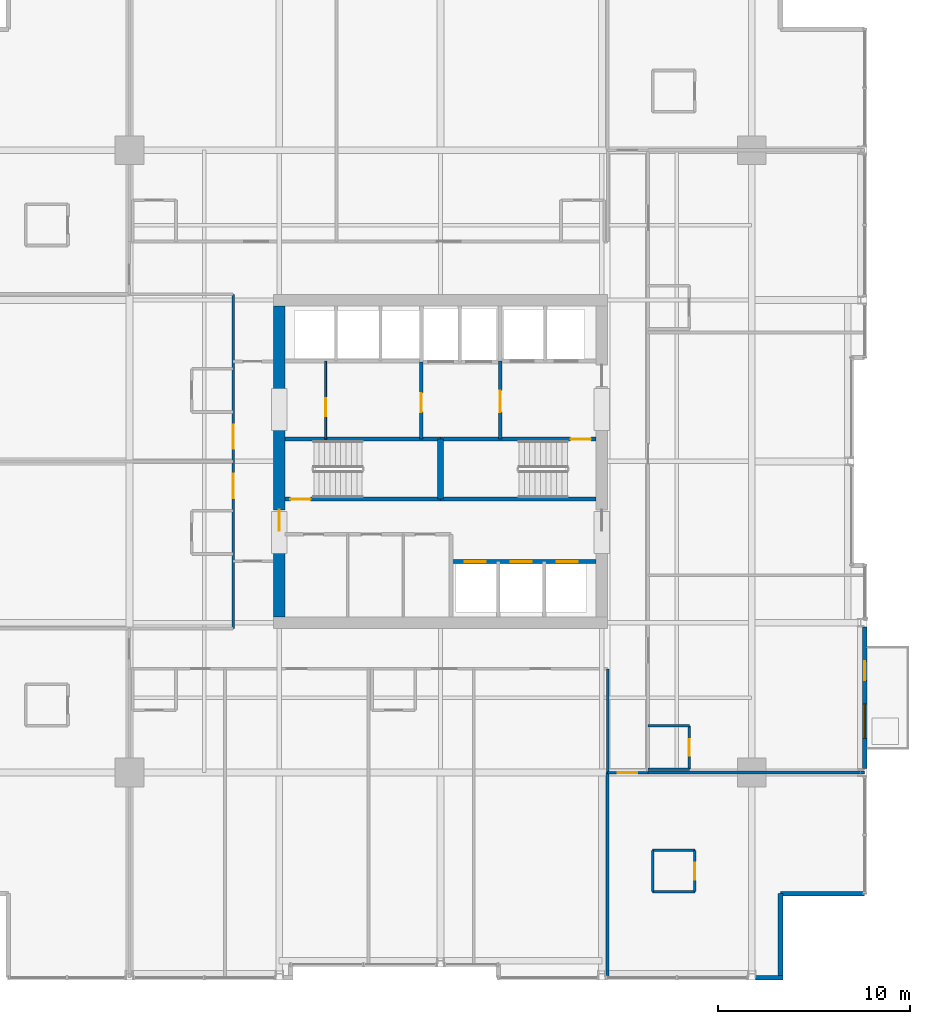
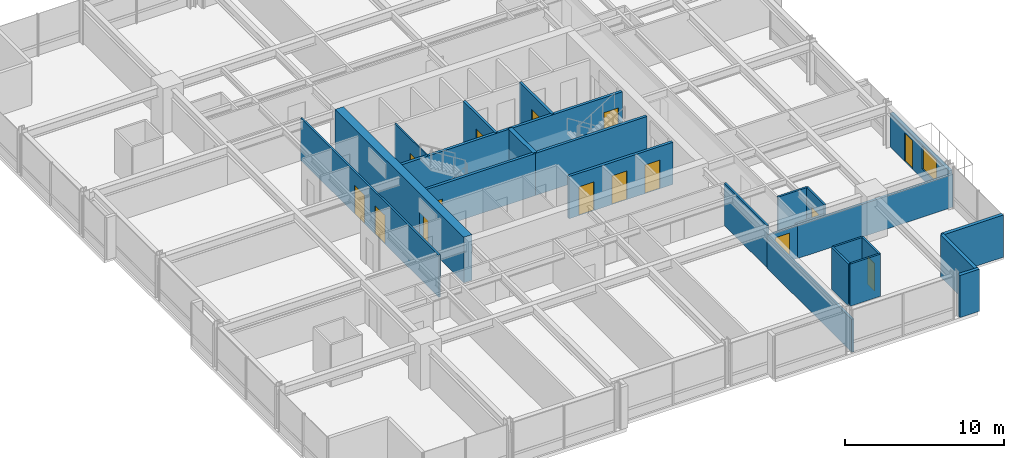
# One storey, part 29 of 33: 26 walls, 15 doors, 1 window, 16 openings.
"""IFC4 building model written with IfcOpenShell, lengths in metres."""

from ifc_helpers import new_model, si_unit, direction, frame, frame_2d, origin, place, context, subcontext, project, spatial, rectangle, extrude, material, layer, layer_set, type_object, element, fill, save


model = new_model("IFC4")

# Units and contexts
model_context = context("Model", 3, precision=1e-05, world=origin(), true_north=direction((0.0, 1.0)))
body_context = subcontext(model_context, "Body", "Model", "MODEL_VIEW")
ifc_project = project(units=[si_unit("LENGTHUNIT", "METRE"), si_unit("AREAUNIT", "SQUARE_METRE"), si_unit("VOLUMEUNIT", "CUBIC_METRE"), si_unit("PLANEANGLEUNIT", "RADIAN"), si_unit("MASSUNIT", "GRAM", prefix="KILO")], contexts=[model_context])

# Site, building, storey
site_placement = place(None, origin())
site = spatial("IfcSite", under=ifc_project, at=site_placement, CompositionType="ELEMENT")
building_placement = place(site_placement, origin())
building = spatial("IfcBuilding", under=site, at=building_placement, Name="Drelvath Grand Hotel", CompositionType="ELEMENT")
storey_placement = place(building_placement, frame((0.0, 0.0, 119.800048828125)))
storey = spatial("IfcBuildingStorey", under=building, at=storey_placement, Name="L30", CompositionType="ELEMENT", Elevation=119.800048828125)

# Wall, opening, door
ifc_material_1 = material(Name="Gypsum Partition Board")
ifc_layer_1 = layer(ifc_material_1, 0.10009765625)
ifc_layer_set_1 = layer_set([ifc_layer_1], Name="Gypsum Partition Board")
wall_type_1 = type_object("IfcWallType", Name="Core Closet Partition 100", PredefinedType="PARTITIONING", material=ifc_layer_set_1)
wall_1_placement = place(storey_placement, frame((-5.97998046875, 28.159912109375, 0.0), z_axis=(0.0, 0.0, 1.0), x_axis=(0.0, 1.0, 0.0)))
wall_1 = element("IfcWall", 1, at=wall_1_placement, inside=storey, type_object=wall_type_1, Name="L30 Core Closet Divider 2", PredefinedType="PARTITIONING", context=body_context, shape_type="SweptSolid", body=[
    extrude(rectangle(XDim=4.06005859375, YDim=0.10009765625, at=frame_2d((2.030029296875, 0.0))), origin(), (0.0, 0.0, 1.0), 3.239990234375),
])
opening_1_placement = place(wall_1_placement, frame((1.199951171875, 0.0, 0.0)))
opening_1 = element("IfcOpeningElement", 2, at=opening_1_placement, cuts=wall_1, Name="Opening D-T2G3-010", PredefinedType="OPENING", context=body_context, shape_type="SweptSolid", body=[
    extrude(rectangle(XDim=0.919921875, YDim=2.10009765625, at=frame_2d((0.4599609375, 1.050048828125))), frame((0.0, 0.06005859375, 0.0), z_axis=(0.0, -1.0, 0.0), x_axis=(1.0, 0.0, 0.0)), (0.0, 0.0, 1.0), 0.1201171875),
])
ifc_material_2 = material(Name="Painted Steel S275", Category="steel")
door_type_1 = type_object("IfcDoorType", Name="Staff Utility Door 920x2100", OperationType="NOTDEFINED", PredefinedType="DOOR", material=ifc_material_2)
door_1_placement = place(opening_1_placement, origin())
door_1 = element("IfcDoor", 3, at=door_1_placement, inside=storey, type_object=door_type_1, Name="L30 Low-Voltage Closet Door", OperationType="SINGLE_SWING_RIGHT", OverallHeight=2.10009765625, OverallWidth=0.919921875, PredefinedType="DOOR", context=body_context, shape_type="SweptSolid", body=[
    extrude(rectangle(XDim=0.919921875, YDim=2.10009765625, at=frame_2d((0.4599609375, 1.050048828125))), frame((0.0, 0.02490234375, 0.0), z_axis=(0.0, -1.0, 0.0), x_axis=(1.0, 0.0, 0.0)), (0.0, 0.0, 1.0), 0.050048828125),
])
fill(opening_1, door_1)

# Wall, openings, doors
ifc_material_3 = material(Name="Concrete C40/50", Category="concrete")
ifc_layer_2 = layer(ifc_material_3, 0.199951171875)
ifc_layer_set_2 = layer_set([ifc_layer_2], Name="Concrete C40/50")
wall_type_2 = type_object("IfcWallType", Name="Core Hoistway Fire Wall 200", PredefinedType="SOLIDWALL", material=ifc_layer_set_2)
wall_2_placement = place(storey_placement, frame((8.10009765625, 21.780029296875, 0.0), z_axis=(0.0, 0.0, 1.0), x_axis=(-1.0, 0.0, 0.0)))
wall_2 = element("IfcWall", 4, at=wall_2_placement, inside=storey, type_object=wall_type_2, Name="L30 Bank 2 Hoistway Wall", PredefinedType="SOLIDWALL", context=body_context, shape_type="SweptSolid", body=[
    extrude(rectangle(XDim=7.550048828125, YDim=0.199951171875, at=frame_2d((3.77490234375, 0.0))), origin(), (0.0, 0.0, 1.0), 3.239990234375),
])
opening_2_placement = place(wall_2_placement, frame((5.75, 0.0, 0.0)))
opening_2 = element("IfcOpeningElement", 5, at=opening_2_placement, cuts=wall_2, Name="Opening LD-PE-4", PredefinedType="OPENING", context=body_context, shape_type="SweptSolid", body=[
    extrude(rectangle(XDim=1.10009765625, YDim=2.199951171875, at=frame_2d((0.550048828125, 1.10009765625))), frame((0.0, 0.10986328125, 0.0), z_axis=(0.0, -1.0, 0.0), x_axis=(1.0, 0.0, 0.0)), (0.0, 0.0, 1.0), 0.219970703125),
])
opening_3_placement = place(wall_2_placement, frame((3.35009765625, 0.0, 0.0)))
opening_3 = element("IfcOpeningElement", 6, at=opening_3_placement, cuts=wall_2, Name="Opening LD-PE-5", PredefinedType="OPENING", context=body_context, shape_type="SweptSolid", body=[
    extrude(rectangle(XDim=1.10009765625, YDim=2.199951171875, at=frame_2d((0.550048828125, 1.10009765625))), frame((0.0, 0.10986328125, 0.0), z_axis=(0.0, -1.0, 0.0), x_axis=(1.0, 0.0, 0.0)), (0.0, 0.0, 1.0), 0.219970703125),
])
opening_4_placement = place(wall_2_placement, frame((0.949951171875, 0.0, 0.0)))
opening_4 = element("IfcOpeningElement", 7, at=opening_4_placement, cuts=wall_2, Name="Opening LD-PE-6", PredefinedType="OPENING", context=body_context, shape_type="SweptSolid", body=[
    extrude(rectangle(XDim=1.10009765625, YDim=2.199951171875, at=frame_2d((0.550048828125, 1.10009765625))), frame((0.0, 0.10986328125, 0.0), z_axis=(0.0, -1.0, 0.0), x_axis=(1.0, 0.0, 0.0)), (0.0, 0.0, 1.0), 0.219970703125),
])
ifc_material_4 = material(Name="Stainless Steel S355", Category="steel")
door_type_2 = type_object("IfcDoorType", Name="Passenger Lift Sliding Landing Door 1100x2200", OperationType="NOTDEFINED", PredefinedType="DOOR", material=ifc_material_4)
door_2_placement = place(opening_2_placement, origin())
door_2 = element("IfcDoor", 8, at=door_2_placement, inside=storey, type_object=door_type_2, Name="L30 Lift PE-4 Landing Door", OperationType="SLIDING_TO_LEFT", OverallHeight=2.199951171875, OverallWidth=1.10009765625, PredefinedType="DOOR", context=body_context, shape_type="SweptSolid", body=[
    extrude(rectangle(XDim=1.10009765625, YDim=2.199951171875, at=frame_2d((0.550048828125, 1.10009765625))), frame((0.0, 0.02490234375, 0.0), z_axis=(0.0, -1.0, 0.0), x_axis=(1.0, 0.0, 0.0)), (0.0, 0.0, 1.0), 0.050048828125),
])
fill(opening_2, door_2)
door_3_placement = place(opening_3_placement, origin())
door_3 = element("IfcDoor", 9, at=door_3_placement, inside=storey, type_object=door_type_2, Name="L30 Lift PE-5 Landing Door", OperationType="SLIDING_TO_LEFT", OverallHeight=2.199951171875, OverallWidth=1.10009765625, PredefinedType="DOOR", context=body_context, shape_type="SweptSolid", body=[
    extrude(rectangle(XDim=1.10009765625, YDim=2.199951171875, at=frame_2d((0.550048828125, 1.10009765625))), frame((0.0, 0.02490234375, 0.0), z_axis=(0.0, -1.0, 0.0), x_axis=(1.0, 0.0, 0.0)), (0.0, 0.0, 1.0), 0.050048828125),
])
fill(opening_3, door_3)
door_4_placement = place(opening_4_placement, origin())
door_4 = element("IfcDoor", 10, at=door_4_placement, inside=storey, type_object=door_type_2, Name="L30 Lift PE-6 Landing Door", OperationType="SLIDING_TO_LEFT", OverallHeight=2.199951171875, OverallWidth=1.10009765625, PredefinedType="DOOR", context=body_context, shape_type="SweptSolid", body=[
    extrude(rectangle(XDim=1.10009765625, YDim=2.199951171875, at=frame_2d((0.550048828125, 1.10009765625))), frame((0.0, 0.02490234375, 0.0), z_axis=(0.0, -1.0, 0.0), x_axis=(1.0, 0.0, 0.0)), (0.0, 0.0, 1.0), 0.050048828125),
])
fill(opening_4, door_4)

# Wall, opening, door
ifc_layer_3 = layer(ifc_material_3, 0.199951171875)
ifc_layer_set_3 = layer_set([ifc_layer_3], Name="Concrete C40/50")
wall_type_3 = type_object("IfcWallType", Name="Core Shaft Fire Wall 200", PredefinedType="SOLIDWALL", material=ifc_layer_set_3)
wall_3_placement = place(storey_placement, frame((-8.10009765625, 25.0400390625, 0.0), z_axis=(0.0, 0.0, 1.0), x_axis=(1.0, 0.0, 0.0)))
wall_3 = element("IfcWall", 11, at=wall_3_placement, inside=storey, type_object=wall_type_3, Name="L30 Stair ST-1 South Wall", PredefinedType="SOLIDWALL", context=body_context, shape_type="SweptSolid", body=[
    extrude(rectangle(XDim=8.10009765625, YDim=0.199951171875, at=frame_2d((4.050048828125, 0.0))), origin(), (0.0, 0.0, 1.0), 3.239990234375),
])
opening_5_placement = place(wall_3_placement, frame((0.280029296875, 0.0, 0.0)))
opening_5 = element("IfcOpeningElement", 12, at=opening_5_placement, cuts=wall_3, Name="Opening D-T2G3-001", PredefinedType="OPENING", context=body_context, shape_type="SweptSolid", body=[
    extrude(rectangle(XDim=1.050048828125, YDim=2.10009765625, at=frame_2d((0.52490234375, 1.050048828125))), frame((0.0, 0.10986328125, 0.0), z_axis=(0.0, -1.0, 0.0), x_axis=(1.0, 0.0, 0.0)), (0.0, 0.0, 1.0), 0.219970703125),
])
door_type_3 = type_object("IfcDoorType", Name="Tower Stairwell Fire Door 1050x2100", OperationType="NOTDEFINED", PredefinedType="DOOR", material=ifc_material_2)
door_5_placement = place(opening_5_placement, origin())
door_5 = element("IfcDoor", 13, at=door_5_placement, inside=storey, type_object=door_type_3, Name="L30 Exit Stair ST-1 Door", OperationType="SINGLE_SWING_LEFT", OverallHeight=2.10009765625, OverallWidth=1.050048828125, PredefinedType="DOOR", context=body_context, shape_type="SweptSolid", body=[
    extrude(rectangle(XDim=1.050048828125, YDim=2.10009765625, at=frame_2d((0.52490234375, 1.050048828125))), frame((0.0, 0.02490234375, 0.0), z_axis=(0.0, -1.0, 0.0), x_axis=(1.0, 0.0, 0.0)), (0.0, 0.0, 1.0), 0.050048828125),
])
fill(opening_5, door_5)

# Walls
for number, where, z_axis, x_axis, name in (
    (14, (-8.10009765625, 28.159912109375, 0.0), (0.0, 0.0, 1.0), (1.0, 0.0, 0.0), "L30 Stair ST-1 North Wall"),
    (15, (0.0, 25.0400390625, 0.0), (0.0, 0.0, 1.0), (1.0, 0.0, 0.0), "L30 Stair ST-2 South Wall"),
):
    element("IfcWall", number, at=place(storey_placement, frame(where, z_axis=z_axis, x_axis=x_axis)), inside=storey, type_object=wall_type_3, Name=name, PredefinedType="SOLIDWALL", context=body_context, shape_type="SweptSolid", body=[
        extrude(rectangle(XDim=8.10009765625, YDim=0.199951171875, at=frame_2d((4.050048828125, 0.0))), origin(), (0.0, 0.0, 1.0), 3.239990234375),
    ])

# Wall, opening, door
wall_4_placement = place(storey_placement, frame((8.10009765625, 28.159912109375, 0.0), z_axis=(0.0, 0.0, 1.0), x_axis=(-1.0, 0.0, 0.0)))
wall_4 = element("IfcWall", 16, at=wall_4_placement, inside=storey, type_object=wall_type_3, Name="L30 Stair ST-2 North Wall", PredefinedType="SOLIDWALL", context=body_context, shape_type="SweptSolid", body=[
    extrude(rectangle(XDim=8.10009765625, YDim=0.199951171875, at=frame_2d((4.050048828125, 0.0))), origin(), (0.0, 0.0, 1.0), 3.239990234375),
])
opening_6_placement = place(wall_4_placement, frame((0.280029296875, 0.0, 0.0)))
opening_6 = element("IfcOpeningElement", 17, at=opening_6_placement, cuts=wall_4, Name="Opening D-T2G3-002", PredefinedType="OPENING", context=body_context, shape_type="SweptSolid", body=[
    extrude(rectangle(XDim=1.050048828125, YDim=2.10009765625, at=frame_2d((0.52490234375, 1.050048828125))), frame((0.0, 0.10986328125, 0.0), z_axis=(0.0, -1.0, 0.0), x_axis=(1.0, 0.0, 0.0)), (0.0, 0.0, 1.0), 0.219970703125),
])
door_6_placement = place(opening_6_placement, origin())
door_6 = element("IfcDoor", 18, at=door_6_placement, inside=storey, type_object=door_type_3, Name="L30 Exit Stair ST-2 Door", OperationType="SINGLE_SWING_LEFT", OverallHeight=2.10009765625, OverallWidth=1.050048828125, PredefinedType="DOOR", context=body_context, shape_type="SweptSolid", body=[
    extrude(rectangle(XDim=1.050048828125, YDim=2.10009765625, at=frame_2d((0.52490234375, 1.050048828125))), frame((0.0, 0.02490234375, 0.0), z_axis=(0.0, -1.0, 0.0), x_axis=(1.0, 0.0, 0.0)), (0.0, 0.0, 1.0), 0.050048828125),
])
fill(opening_6, door_6)

# Walls
ifc_layer_4 = layer(ifc_material_3, 0.300048828125)
ifc_layer_set_4 = layer_set([ifc_layer_4], Name="Concrete C40/50")
wall_type_4 = type_object("IfcWallType", Name="Core Shaft Fire Wall 300", PredefinedType="SOLIDWALL", material=ifc_layer_set_4)
wall_5_placement = place(storey_placement, frame((0.0, 25.0400390625, 0.0), z_axis=(0.0, 0.0, 1.0), x_axis=(0.0, 1.0, 0.0)))
element("IfcWall", 19, at=wall_5_placement, inside=storey, type_object=wall_type_4, Name="L30 Core Stair Divider Wall", PredefinedType="SOLIDWALL", context=body_context, shape_type="SweptSolid", body=[
    extrude(rectangle(XDim=3.119873046875, YDim=0.300048828125, at=frame_2d((1.56005859375, 0.0))), origin(), (0.0, 0.0, 1.0), 3.239990234375),
])
ifc_material_5 = material(Name="Gypsum Fireboard Partition")
ifc_layer_5 = layer(ifc_material_5, 0.135009765625)
ifc_layer_set_5 = layer_set([ifc_layer_5], Name="Gypsum Fireboard Partition")
wall_type_5 = type_object("IfcWallType", Name="Corridor Fire Barrier Wall 135", PredefinedType="PARTITIONING", material=ifc_layer_set_5)
wall_6_placement = place(storey_placement, frame((8.699951171875, 10.800048828125, 0.0), z_axis=(0.0, 0.0, 1.0), x_axis=(0.0, 1.0, 0.0)))
element("IfcWall", 20, at=wall_6_placement, inside=storey, type_object=wall_type_5, Name="L30 East Spine South Inner Wall", PredefinedType="PARTITIONING", context=body_context, shape_type="SweptSolid", body=[
    extrude(rectangle(XDim=5.39990234375, YDim=0.135009765625, at=frame_2d((2.699951171875, 0.0))), origin(), (0.0, 0.0, 1.0), 3.239990234375),
])

# Wall, openings, doors
wall_7_placement = place(storey_placement, frame((-10.800048828125, 18.300048828125, 0.0), z_axis=(0.0, 0.0, 1.0), x_axis=(0.0, 1.0, 0.0)))
wall_7 = element("IfcWall", 21, at=wall_7_placement, inside=storey, type_object=wall_type_5, Name="L30 West Spine Wall", PredefinedType="PARTITIONING", context=body_context, shape_type="SweptSolid", body=[
    extrude(rectangle(XDim=17.39990234375, YDim=0.135009765625, at=frame_2d((8.699951171875, 0.0))), origin(), (0.0, 0.0, 1.0), 3.239990234375),
])
opening_7_placement = place(wall_7_placement, frame((6.784912109375, 0.0, 0.0)))
opening_7 = element("IfcOpeningElement", 22, at=opening_7_placement, cuts=wall_7, Name="Opening D-T2G3-045", PredefinedType="OPENING", context=body_context, shape_type="SweptSolid", body=[
    extrude(rectangle(XDim=1.260009765625, YDim=2.199951171875, at=frame_2d((0.6298828125, 1.10009765625))), frame((0.0, 0.077392578125, 0.0), z_axis=(0.0, -1.0, 0.0), x_axis=(1.0, 0.0, 0.0)), (0.0, 0.0, 1.0), 0.155029296875),
])
opening_8_placement = place(wall_7_placement, frame((9.35498046875, 0.0, 0.0)))
opening_8 = element("IfcOpeningElement", 23, at=opening_8_placement, cuts=wall_7, Name="Opening D-T2G3-047", PredefinedType="OPENING", context=body_context, shape_type="SweptSolid", body=[
    extrude(rectangle(XDim=1.260009765625, YDim=2.199951171875, at=frame_2d((0.6298828125, 1.10009765625))), frame((0.0, 0.077392578125, 0.0), z_axis=(0.0, -1.0, 0.0), x_axis=(1.0, 0.0, 0.0)), (0.0, 0.0, 1.0), 0.155029296875),
])
ifc_material_6 = material(Name="Hardwood Walnut Timber", Category="wood")
door_type_4 = type_object("IfcDoorType", Name="Suite Entrance Fire Door 1260x2200", OperationType="NOTDEFINED", PredefinedType="DOOR", material=ifc_material_6)
door_7_placement = place(opening_7_placement, origin())
door_7 = element("IfcDoor", 24, at=door_7_placement, inside=storey, type_object=door_type_4, Name="L30 Corner Suite Entry Door", OperationType="SINGLE_SWING_RIGHT", OverallHeight=2.199951171875, OverallWidth=1.260009765625, PredefinedType="DOOR", context=body_context, shape_type="SweptSolid", body=[
    extrude(rectangle(XDim=1.260009765625, YDim=2.199951171875, at=frame_2d((0.6298828125, 1.10009765625))), frame((0.0, 0.02490234375, 0.0), z_axis=(0.0, -1.0, 0.0), x_axis=(1.0, 0.0, 0.0)), (0.0, 0.0, 1.0), 0.050048828125),
])
fill(opening_7, door_7)
door_8_placement = place(opening_8_placement, origin())
door_8 = element("IfcDoor", 25, at=door_8_placement, inside=storey, type_object=door_type_4, Name="L30 Corner Suite Entry Door", OperationType="SINGLE_SWING_RIGHT", OverallHeight=2.199951171875, OverallWidth=1.260009765625, PredefinedType="DOOR", context=body_context, shape_type="SweptSolid", body=[
    extrude(rectangle(XDim=1.260009765625, YDim=2.199951171875, at=frame_2d((0.6298828125, 1.10009765625))), frame((0.0, 0.02490234375, 0.0), z_axis=(0.0, -1.0, 0.0), x_axis=(1.0, 0.0, 0.0)), (0.0, 0.0, 1.0), 0.050048828125),
])
fill(opening_8, door_8)

# Wall, opening, door
wall_8_placement = place(storey_placement, frame((8.699951171875, 10.800048828125, 0.0), z_axis=(0.0, 0.0, 1.0), x_axis=(1.0, 0.0, 0.0)))
wall_8 = element("IfcWall", 26, at=wall_8_placement, inside=storey, type_object=wall_type_5, Name="L30 East Spine South End", PredefinedType="PARTITIONING", context=body_context, shape_type="SweptSolid", body=[
    extrude(rectangle(XDim=2.10009765625, YDim=0.135009765625, at=frame_2d((1.050048828125, 0.0))), origin(), (0.0, 0.0, 1.0), 2.529541015625),
])
opening_9_placement = place(wall_8_placement, frame((0.52001953125, 0.0, 0.0)))
opening_9 = element("IfcOpeningElement", 27, at=opening_9_placement, cuts=wall_8, Name="Opening D-T2G3-026", PredefinedType="OPENING", context=body_context, shape_type="SweptSolid", body=[
    extrude(rectangle(XDim=1.02001953125, YDim=2.14990234375, at=frame_2d((0.510009765625, 1.074951171875))), frame((0.0, 0.077392578125, 0.0), z_axis=(0.0, -1.0, 0.0), x_axis=(1.0, 0.0, 0.0)), (0.0, 0.0, 1.0), 0.155029296875),
])
door_type_5 = type_object("IfcDoorType", Name="Amenity Meeting Fire Door 1020x2150", OperationType="NOTDEFINED", PredefinedType="DOOR", material=ifc_material_6)
door_9_placement = place(opening_9_placement, origin())
door_9 = element("IfcDoor", 28, at=door_9_placement, inside=storey, type_object=door_type_5, Name="L30 Corner Suite Entry Door", OperationType="SINGLE_SWING_LEFT", OverallHeight=2.14990234375, OverallWidth=1.02001953125, PredefinedType="DOOR", context=body_context, shape_type="SweptSolid", body=[
    extrude(rectangle(XDim=1.02001953125, YDim=2.14990234375, at=frame_2d((0.510009765625, 1.074951171875))), frame((0.0, 0.02490234375, 0.0), z_axis=(0.0, -1.0, 0.0), x_axis=(1.0, 0.0, 0.0)), (0.0, 0.0, 1.0), 0.050048828125),
])
fill(opening_9, door_9)

# Walls
ifc_material_7 = material(Name="Moisture-Resistant Gypsum Board")
ifc_layer_6 = layer(ifc_material_7, 0.139892578125)
ifc_layer_set_6 = layer_set([ifc_layer_6], Name="Moisture-Resistant Gypsum Board")
wall_type_6 = type_object("IfcWallType", Name="En-Suite Plumbing Wall 140", PredefinedType="PLUMBINGWALL", material=ifc_layer_set_6)
for number, where, z_axis, x_axis, name in (
    (29, (11.0400390625, 4.60009765625, 0.0), (0.0, 0.0, 1.0), (1.0, 0.0, 0.0), "L30 Corner En-Suite South"),
    (30, (11.0400390625, 6.75, 0.0), (0.0, 0.0, 1.0), (1.0, 0.0, 0.0), "L30 Corner En-Suite North"),
):
    element("IfcWall", number, at=place(storey_placement, frame(where, z_axis=z_axis, x_axis=x_axis)), inside=storey, type_object=wall_type_6, Name=name, PredefinedType="PLUMBINGWALL", context=body_context, shape_type="SweptSolid", body=[
        extrude(rectangle(XDim=2.199951171875, YDim=0.139892578125, at=frame_2d((1.10009765625, 0.0))), origin(), (0.0, 0.0, 1.0), 3.239990234375),
    ])
wall_9_placement = place(storey_placement, frame((11.0400390625, 4.60009765625, 0.0), z_axis=(0.0, 0.0, 1.0), x_axis=(0.0, 1.0, 0.0)))
element("IfcWall", 31, at=wall_9_placement, inside=storey, type_object=wall_type_6, Name="L30 Corner En-Suite West", PredefinedType="PLUMBINGWALL", context=body_context, shape_type="SweptSolid", body=[
    extrude(rectangle(XDim=2.14990234375, YDim=0.139892578125, at=frame_2d((1.074951171875, 0.0))), origin(), (0.0, 0.0, 1.0), 3.239990234375),
])

# Wall, opening, door
wall_10_placement = place(storey_placement, frame((13.239990234375, 4.60009765625, 0.0), z_axis=(0.0, 0.0, 1.0), x_axis=(0.0, 1.0, 0.0)))
wall_10 = element("IfcWall", 32, at=wall_10_placement, inside=storey, type_object=wall_type_6, Name="L30 Corner En-Suite East", PredefinedType="PLUMBINGWALL", context=body_context, shape_type="SweptSolid", body=[
    extrude(rectangle(XDim=2.14990234375, YDim=0.139892578125, at=frame_2d((1.074951171875, 0.0))), origin(), (0.0, 0.0, 1.0), 3.239990234375),
])
opening_10_placement = place(wall_10_placement, frame((0.6201171875, 0.0, 0.0)))
opening_10 = element("IfcOpeningElement", 33, at=opening_10_placement, cuts=wall_10, Name="Opening D-T2G3-025", PredefinedType="OPENING", context=body_context, shape_type="SweptSolid", body=[
    extrude(rectangle(XDim=0.8798828125, YDim=2.10009765625, at=frame_2d((0.43994140625, 1.050048828125))), frame((0.0, 0.079833984375, 0.0), z_axis=(0.0, -1.0, 0.0), x_axis=(1.0, 0.0, 0.0)), (0.0, 0.0, 1.0), 0.159912109375),
])
door_type_6 = type_object("IfcDoorType", Name="En-Suite Bathroom Door 880x2100", OperationType="NOTDEFINED", PredefinedType="DOOR", material=ifc_material_6)
door_10_placement = place(opening_10_placement, origin())
door_10 = element("IfcDoor", 34, at=door_10_placement, inside=storey, type_object=door_type_6, Name="L30 Corner En-Suite Door", OperationType="SINGLE_SWING_RIGHT", OverallHeight=2.10009765625, OverallWidth=0.8798828125, PredefinedType="DOOR", context=body_context, shape_type="SweptSolid", body=[
    extrude(rectangle(XDim=0.8798828125, YDim=2.10009765625, at=frame_2d((0.43994140625, 1.050048828125))), frame((0.0, 0.02490234375, 0.0), z_axis=(0.0, -1.0, 0.0), x_axis=(1.0, 0.0, 0.0)), (0.0, 0.0, 1.0), 0.050048828125),
])
fill(opening_10, door_10)

# Walls
wall_11_placement = place(storey_placement, frame((10.800048828125, 10.97998046875, 0.0), z_axis=(0.0, 0.0, 1.0), x_axis=(1.0, 0.0, 0.0)))
element("IfcWall", 35, at=wall_11_placement, inside=storey, type_object=wall_type_6, Name="L30 En-Suite Left Wall", PredefinedType="PLUMBINGWALL", context=body_context, shape_type="SweptSolid", body=[
    extrude(rectangle(XDim=2.14990234375, YDim=0.139892578125, at=frame_2d((1.074951171875, 0.0))), origin(), (0.0, 0.0, 1.0), 2.529541015625),
])
wall_12_placement = place(storey_placement, frame((10.800048828125, 13.22998046875, 0.0), z_axis=(0.0, 0.0, 1.0), x_axis=(1.0, 0.0, 0.0)))
element("IfcWall", 36, at=wall_12_placement, inside=storey, type_object=wall_type_6, Name="L30 En-Suite Right Wall", PredefinedType="PLUMBINGWALL", context=body_context, shape_type="SweptSolid", body=[
    extrude(rectangle(XDim=2.14990234375, YDim=0.139892578125, at=frame_2d((1.074951171875, 0.0))), origin(), (0.0, 0.0, 1.0), 3.239990234375),
])

# Wall, opening, door
wall_13_placement = place(storey_placement, frame((12.949951171875, 10.97998046875, 0.0), z_axis=(0.0, 0.0, 1.0), x_axis=(0.0, 1.0, 0.0)))
wall_13 = element("IfcWall", 37, at=wall_13_placement, inside=storey, type_object=wall_type_6, Name="L30 En-Suite Front Wall", PredefinedType="PLUMBINGWALL", context=body_context, shape_type="SweptSolid", body=[
    extrude(rectangle(XDim=2.25, YDim=0.139892578125, at=frame_2d((1.125, 0.0))), origin(), (0.0, 0.0, 1.0), 3.239990234375),
])
opening_11_placement = place(wall_13_placement, frame((0.68505859375, 0.0, 0.0)))
opening_11 = element("IfcOpeningElement", 38, at=opening_11_placement, cuts=wall_13, Name="Opening D-T2G3-039", PredefinedType="OPENING", context=body_context, shape_type="SweptSolid", body=[
    extrude(rectangle(XDim=0.8798828125, YDim=2.10009765625, at=frame_2d((0.43994140625, 1.050048828125))), frame((0.0, 0.079833984375, 0.0), z_axis=(0.0, -1.0, 0.0), x_axis=(1.0, 0.0, 0.0)), (0.0, 0.0, 1.0), 0.159912109375),
])
door_11_placement = place(opening_11_placement, origin())
door_11 = element("IfcDoor", 39, at=door_11_placement, inside=storey, type_object=door_type_6, Name="L30 En-Suite Bathroom Door", OperationType="SINGLE_SWING_RIGHT", OverallHeight=2.10009765625, OverallWidth=0.8798828125, PredefinedType="DOOR", context=body_context, shape_type="SweptSolid", body=[
    extrude(rectangle(XDim=0.8798828125, YDim=2.10009765625, at=frame_2d((0.43994140625, 1.050048828125))), frame((0.0, 0.02490234375, 0.0), z_axis=(0.0, -1.0, 0.0), x_axis=(1.0, 0.0, 0.0)), (0.0, 0.0, 1.0), 0.050048828125),
])
fill(opening_11, door_11)

ifc_layer_7 = layer(ifc_material_5, 0.179931640625)
ifc_layer_set_7 = layer_set([ifc_layer_7], Name="Gypsum Fireboard Partition")
wall_type_7 = type_object("IfcWallType", Name="FSAE Smoke Lobby Fire Wall 180", PredefinedType="SOLIDWALL", material=ifc_layer_set_7)
wall_14_placement = place(storey_placement, frame((3.10009765625, 28.159912109375, 0.0), z_axis=(0.0, 0.0, 1.0), x_axis=(0.0, 1.0, 0.0)))
wall_14 = element("IfcWall", 40, at=wall_14_placement, inside=storey, type_object=wall_type_7, Name="L30 FSAE Smoke Lobby West Wall", PredefinedType="SOLIDWALL", context=body_context, shape_type="SweptSolid", body=[
    extrude(rectangle(XDim=4.06005859375, YDim=0.179931640625, at=frame_2d((2.030029296875, 0.0))), origin(), (0.0, 0.0, 1.0), 3.239990234375),
])
opening_12_placement = place(wall_14_placement, frame((1.39990234375, 0.0, 0.0)))
opening_12 = element("IfcOpeningElement", 41, at=opening_12_placement, cuts=wall_14, Name="Opening D-T2G3-005", PredefinedType="OPENING", context=body_context, shape_type="SweptSolid", body=[
    extrude(rectangle(XDim=1.1201171875, YDim=2.10009765625, at=frame_2d((0.56005859375, 1.050048828125))), frame((0.0, 0.099853515625, 0.0), z_axis=(0.0, -1.0, 0.0), x_axis=(1.0, 0.0, 0.0)), (0.0, 0.0, 1.0), 0.199951171875),
])
door_type_7 = type_object("IfcDoorType", Name="FSAE Smoke Lobby Fire Door 1120x2100", OperationType="NOTDEFINED", PredefinedType="DOOR", material=ifc_material_2)
door_12_placement = place(opening_12_placement, origin())
door_12 = element("IfcDoor", 42, at=door_12_placement, inside=storey, type_object=door_type_7, Name="L30 FSAE Lobby Service Vestibule Door", OperationType="SINGLE_SWING_RIGHT", OverallHeight=2.10009765625, OverallWidth=1.1201171875, PredefinedType="DOOR", context=body_context, shape_type="SweptSolid", body=[
    extrude(rectangle(XDim=1.1201171875, YDim=2.10009765625, at=frame_2d((0.56005859375, 1.050048828125))), frame((0.0, 0.02490234375, 0.0), z_axis=(0.0, -1.0, 0.0), x_axis=(1.0, 0.0, 0.0)), (0.0, 0.0, 1.0), 0.050048828125),
])
fill(opening_12, door_12)

wall_15_placement = place(storey_placement, frame((-1.0, 28.159912109375, 0.0), z_axis=(0.0, 0.0, 1.0), x_axis=(0.0, 1.0, 0.0)))
wall_15 = element("IfcWall", 43, at=wall_15_placement, inside=storey, type_object=wall_type_7, Name="L30 Service Vestibule West Wall", PredefinedType="SOLIDWALL", context=body_context, shape_type="SweptSolid", body=[
    extrude(rectangle(XDim=4.02001953125, YDim=0.179931640625, at=frame_2d((2.010009765625, 0.0))), origin(), (0.0, 0.0, 1.0), 3.239990234375),
])
opening_13_placement = place(wall_15_placement, frame((1.39990234375, 0.0, 0.0)))
opening_13 = element("IfcOpeningElement", 44, at=opening_13_placement, cuts=wall_15, Name="Opening D-T2G3-009", PredefinedType="OPENING", context=body_context, shape_type="SweptSolid", body=[
    extrude(rectangle(XDim=1.0, YDim=2.10009765625, at=frame_2d((0.5, 1.050048828125))), frame((0.0, 0.099853515625, 0.0), z_axis=(0.0, -1.0, 0.0), x_axis=(1.0, 0.0, 0.0)), (0.0, 0.0, 1.0), 0.199951171875),
])
door_type_8 = type_object("IfcDoorType", Name="Core Service Fire Door 1000x2100", OperationType="NOTDEFINED", PredefinedType="DOOR", material=ifc_material_2)
door_13_placement = place(opening_13_placement, origin())
door_13 = element("IfcDoor", 45, at=door_13_placement, inside=storey, type_object=door_type_8, Name="L30 Service Vestibule West Door", OperationType="SINGLE_SWING_LEFT", OverallHeight=2.10009765625, OverallWidth=1.0, PredefinedType="DOOR", context=body_context, shape_type="SweptSolid", body=[
    extrude(rectangle(XDim=1.0, YDim=2.10009765625, at=frame_2d((0.5, 1.050048828125))), frame((0.0, 0.02490234375, 0.0), z_axis=(0.0, -1.0, 0.0), x_axis=(1.0, 0.0, 0.0)), (0.0, 0.0, 1.0), 0.050048828125),
])
fill(opening_13, door_13)

ifc_material_8 = material(Name="Concrete f'c 70 MPa", Category="concrete")
ifc_layer_8 = layer(ifc_material_8, 0.60009765625)
ifc_layer_set_8 = layer_set([ifc_layer_8], Name="Concrete f'c 70 MPa")
wall_type_8 = type_object("IfcWallType", Name="Lower Core RC Shear Wall 600", PredefinedType="SHEAR", material=ifc_layer_set_8)
wall_16_placement = place(storey_placement, frame((-8.39990234375, 18.89990234375, 0.0), z_axis=(0.0, 0.0, 1.0), x_axis=(0.0, 1.0, 0.0)))
wall_16 = element("IfcWall", 46, at=wall_16_placement, inside=storey, type_object=wall_type_8, Name="L30 Central Core Shear Wall W", PredefinedType="SHEAR", context=body_context, shape_type="SweptSolid", body=[
    extrude(rectangle(XDim=16.2001953125, YDim=0.60009765625, at=frame_2d((8.10009765625, 0.0))), origin(), (0.0, 0.0, 1.0), 3.5),
])
opening_14_placement = place(wall_16_placement, frame((4.5, 0.0, 0.0)))
opening_14 = element("IfcOpeningElement", 47, at=opening_14_placement, cuts=wall_16, Name="Opening D-T2G3-014", PredefinedType="OPENING", context=body_context, shape_type="SweptSolid", body=[
    extrude(rectangle(XDim=1.080078125, YDim=2.0400390625, at=frame_2d((0.5400390625, 1.02001953125))), frame((0.0, 0.31005859375, 0.0), z_axis=(0.0, -1.0, 0.0), x_axis=(1.0, 0.0, 0.0)), (0.0, 0.0, 1.0), 0.6201171875),
])
door_type_9 = type_object("IfcDoorType", Name="Core Corridor Fire Door 1080x2100", OperationType="NOTDEFINED", PredefinedType="DOOR", material=ifc_material_2)
door_14_placement = place(opening_14_placement, origin())
door_14 = element("IfcDoor", 48, at=door_14_placement, inside=storey, type_object=door_type_9, Name="L30 Mid-Rise Lobby West Door", OperationType="SINGLE_SWING_LEFT", OverallHeight=2.0400390625, OverallWidth=1.080078125, PredefinedType="DOOR", context=body_context, shape_type="SweptSolid", body=[
    extrude(rectangle(XDim=1.080078125, YDim=2.0400390625, at=frame_2d((0.5400390625, 1.02001953125))), frame((0.0, 0.02490234375, 0.0), z_axis=(0.0, -1.0, 0.0), x_axis=(1.0, 0.0, 0.0)), (0.0, 0.0, 1.0), 0.050048828125),
])
fill(opening_14, door_14)

# Walls
ifc_material_9 = material(Name="Gypsum Acoustic Partition")
ifc_layer_9 = layer(ifc_material_9, 0.1650390625)
ifc_layer_set_9 = layer_set([ifc_layer_9], Name="Gypsum Acoustic Partition")
wall_type_9 = type_object("IfcWallType", Name="Suite Demising Wall 165", PredefinedType="PARTITIONING", material=ifc_layer_set_9)
wall_17_placement = place(storey_placement, frame((8.699951171875, 0.1201171875, 0.0), z_axis=(0.0, 0.0, 1.0), x_axis=(0.0, 1.0, 0.0)))
element("IfcWall", 49, at=wall_17_placement, inside=storey, type_object=wall_type_9, Name="L30 SE Suite West Wall", PredefinedType="PARTITIONING", context=body_context, shape_type="SweptSolid", body=[
    extrude(rectangle(XDim=10.679931640625, YDim=0.1650390625, at=frame_2d((5.33984375, 0.0))), origin(), (0.0, 0.0, 1.0), 2.529541015625),
])
wall_18_placement = place(storey_placement, frame((10.800048828125, 10.800048828125, 0.0), z_axis=(0.0, 0.0, 1.0), x_axis=(1.0, 0.0, 0.0)))
element("IfcWall", 50, at=wall_18_placement, inside=storey, type_object=wall_type_9, Name="L30 SE Suite North Wall", PredefinedType="PARTITIONING", context=body_context, shape_type="SweptSolid", body=[
    extrude(rectangle(XDim=11.280029296875, YDim=0.1650390625, at=frame_2d((5.64013671875, 0.0))), origin(), (0.0, 0.0, 1.0), 2.529541015625),
])

# Wall, openings, window, door
ifc_material_10 = material(Name="Pale-Metal Insulated Aluminium Spandrel Assembly", Category="aluminium")
ifc_layer_10 = layer(ifc_material_10, 0.239990234375)
ifc_layer_set_10 = layer_set([ifc_layer_10], Name="Pale-Metal Insulated Aluminium Spandrel Assembly")
wall_type_10 = type_object("IfcWallType", Name="Tower Insulated Metal Spandrel Closure Wall 240", PredefinedType="STANDARD", material=ifc_layer_set_10)
wall_19_placement = place(storey_placement, frame((22.080078125, 18.390625, 0.0), z_axis=(0.0, 0.0, 1.0), x_axis=(0.0, -1.0, 0.0)))
wall_19 = element("IfcWall", 51, at=wall_19_placement, inside=storey, type_object=wall_type_10, Name="L30 Exterior Terrace Door Bay Wall ES2", PredefinedType="STANDARD", context=body_context, shape_type="SweptSolid", body=[
    extrude(rectangle(XDim=7.381103515625, YDim=0.239990234375, at=frame_2d((3.6904296875, 0.0))), origin(), (0.0, 0.0, 1.0), 2.62890625),
])
opening_15_placement = place(wall_19_placement, frame((1.79052734375, 0.0, 0.0)))
opening_15 = element("IfcOpeningElement", 52, at=opening_15_placement, cuts=wall_19, Name="Opening TD-1000", PredefinedType="OPENING", context=body_context, shape_type="SweptSolid", body=[
    extrude(rectangle(XDim=1.0, YDim=2.199951171875, at=frame_2d((0.5, 1.10009765625))), frame((0.0, 0.1298828125, 0.0), z_axis=(0.0, -1.0, 0.0), x_axis=(1.0, 0.0, 0.0)), (0.0, 0.0, 1.0), 0.260009765625),
])
opening_16_placement = place(wall_19_placement, frame((4.011474609375, 0.0, 0.75)))
opening_16 = element("IfcOpeningElement", 53, at=opening_16_placement, cuts=wall_19, Name="Opening W-02", PredefinedType="OPENING", context=body_context, shape_type="SweptSolid", body=[
    extrude(rectangle(XDim=1.800048828125, YDim=1.779052734375, at=frame_2d((0.89990234375, 0.8896484375))), frame((0.0, 0.1298828125, 0.0), z_axis=(0.0, -1.0, 0.0), x_axis=(1.0, 0.0, 0.0)), (0.0, 0.0, 1.0), 0.260009765625),
])
ifc_material_11 = material(Name="Bronze Anodised Low-E Triple Glazing", Category="glass")
window_type = type_object("IfcWindowType", Name="Chicago Double-Pane Podium Window 1800x2400", PartitioningType="DOUBLE_PANEL_VERTICAL", PredefinedType="WINDOW", material=ifc_material_11)
window_placement = place(opening_16_placement, origin())
window = element("IfcWindow", 54, at=window_placement, inside=storey, type_object=window_type, Name="L30 Terrace Bay Companion Window ES2", OverallHeight=1.779052734375, OverallWidth=1.800048828125, PartitioningType="SINGLE_PANEL", PredefinedType="WINDOW", context=body_context, shape_type="SweptSolid", body=[
    extrude(rectangle(XDim=1.800048828125, YDim=1.779052734375, at=frame_2d((0.89990234375, 0.8896484375))), frame((0.0, 0.030029296875, 0.0), z_axis=(0.0, -1.0, 0.0), x_axis=(1.0, 0.0, 0.0)), (0.0, 0.0, 1.0), 0.06005859375),
])
fill(opening_16, window)
ifc_material_12 = material(Name="Anodised Aluminium Thermally Broken Glazed Door", Category="aluminium")
door_type_10 = type_object("IfcDoorType", Name="Terrace and Tree Balcony Glazed Door 1000x2200", OperationType="NOTDEFINED", PredefinedType="DOOR", material=ifc_material_12)
door_15_placement = place(opening_15_placement, origin())
door_15 = element("IfcDoor", 55, at=door_15_placement, inside=storey, type_object=door_type_10, Name="L30 Tree Balcony Door DOOR-L30-TBAL-1", OperationType="SINGLE_SWING_RIGHT", OverallHeight=2.199951171875, OverallWidth=1.0, PredefinedType="DOOR", context=body_context, shape_type="SweptSolid", body=[
    extrude(rectangle(XDim=1.0, YDim=2.199951171875, at=frame_2d((0.5, 1.10009765625))), frame((0.0, 0.02490234375, 0.0), z_axis=(0.0, -1.0, 0.0), x_axis=(1.0, 0.0, 0.0)), (0.0, 0.0, 1.0), 0.050048828125),
])
fill(opening_15, door_15)

# Walls
wall_20_placement = place(storey_placement, frame((17.820068359375, 0.1201171875, 0.0), z_axis=(0.0, 0.0, 1.0), x_axis=(-1.0, 0.0, 0.0)))
element("IfcWall", 56, at=wall_20_placement, inside=storey, type_object=wall_type_10, Name="L30 Corner Pier Spandrel Wall SE3", PredefinedType="STANDARD", context=body_context, shape_type="SweptSolid", body=[
    extrude(rectangle(XDim=1.41064453125, YDim=0.239990234375, at=frame_2d((0.705322265625, 0.0))), origin(), (0.0, 0.0, 1.0), 3.239990234375),
])
wall_21_placement = place(storey_placement, frame((22.080078125, 4.5, 0.0), z_axis=(0.0, 0.0, 1.0), x_axis=(-1.0, 0.0, 0.0)))
element("IfcWall", 57, at=wall_21_placement, inside=storey, type_object=wall_type_10, Name="L30 Notched Corner Return Spandrel Wall CSE1", PredefinedType="STANDARD", context=body_context, shape_type="SweptSolid", body=[
    extrude(rectangle(XDim=4.380126953125, YDim=0.239990234375, at=frame_2d((2.18994140625, 0.0))), origin(), (0.0, 0.0, 1.0), 3.239990234375),
])
wall_22_placement = place(storey_placement, frame((17.699951171875, 4.5, 0.0), z_axis=(0.0, 0.0, 1.0), x_axis=(0.0, -1.0, 0.0)))
element("IfcWall", 58, at=wall_22_placement, inside=storey, type_object=wall_type_10, Name="L30 Notched Corner Return Spandrel Wall CSE2", PredefinedType="STANDARD", context=body_context, shape_type="SweptSolid", body=[
    extrude(rectangle(XDim=4.260009765625, YDim=0.239990234375, at=frame_2d((2.1298828125, 0.0))), origin(), (0.0, 0.0, 1.0), 3.239990234375),
])

save(model, "model.ifc")
